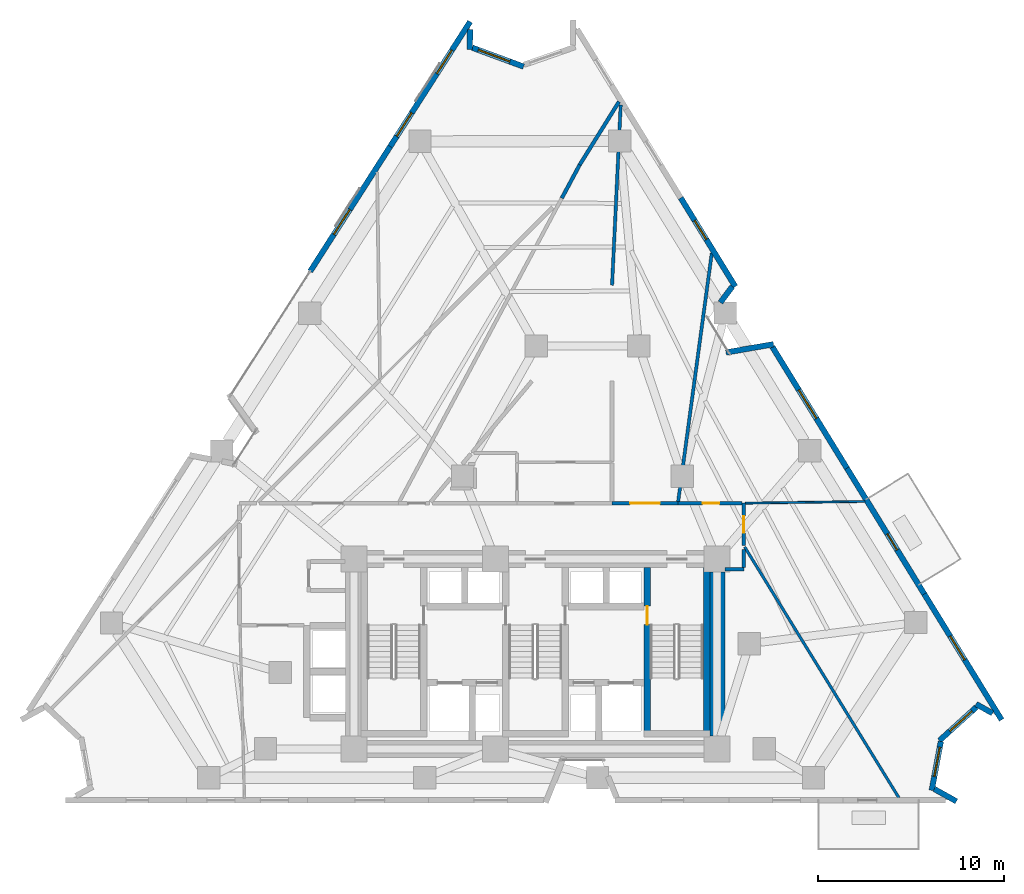
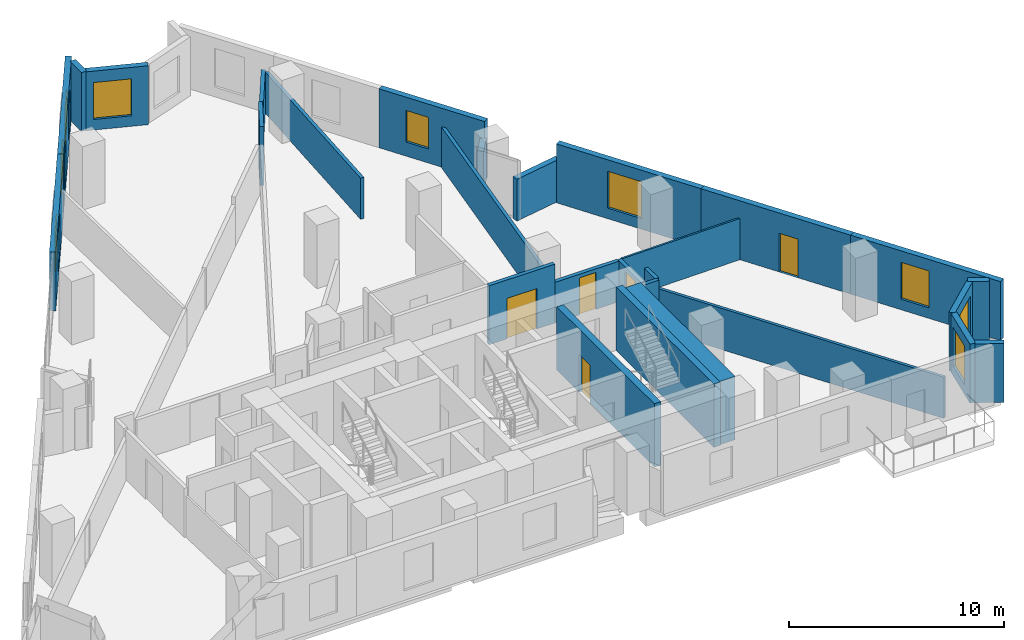
# One storey, part 8 of 12: 28 walls, 9 windows, 5 doors, 14 openings.
"""IFC4 building model written with IfcOpenShell, lengths in metres."""

from ifc_helpers import new_model, si_unit, direction, frame, frame_2d, origin, place, context, subcontext, project, spatial, rectangle, extrude, material, layer, layer_set, type_object, element, fill, save


model = new_model("IFC4")

# Units and contexts
model_context = context("Model", 3, precision=1e-05, world=origin(), true_north=direction((0.0, 1.0)))
body_context = subcontext(model_context, "Body", "Model", "MODEL_VIEW")
ifc_project = project(units=[si_unit("LENGTHUNIT", "METRE"), si_unit("AREAUNIT", "SQUARE_METRE"), si_unit("VOLUMEUNIT", "CUBIC_METRE"), si_unit("PLANEANGLEUNIT", "RADIAN"), si_unit("MASSUNIT", "GRAM", prefix="KILO")], contexts=[model_context])

# Site, building, storey
site_placement = place(None, origin())
site = spatial("IfcSite", under=ifc_project, at=site_placement, CompositionType="ELEMENT")
building_placement = place(site_placement, origin())
building = spatial("IfcBuilding", under=site, at=building_placement, Name="Almagre Mirador Tower", CompositionType="ELEMENT")
storey_placement = place(building_placement, frame((0.0, 0.0, 93.0)))
storey = spatial("IfcBuildingStorey", under=building, at=storey_placement, Name="L23", CompositionType="ELEMENT", Elevation=93.0)

# Wall, opening, window
ifc_material_1 = material(Name="Precast concrete C50/60", Category="concrete")
ifc_layer_1 = layer(ifc_material_1, 0.300048828125)
ifc_layer_set_1 = layer_set([ifc_layer_1], Name="Precast concrete C50/60")
wall_type_1 = type_object("IfcWallType", Name="WAL-EXT-300", PredefinedType="SOLIDWALL", material=ifc_layer_set_1)
wall_1_placement = place(storey_placement, frame((25.202392578125, 30.2099609375, 0.0), z_axis=(0.0, 0.0, 1.0), x_axis=(0.53945551692, 0.842014100395, 0.0)))
wall_1 = element("IfcWall", 1, at=wall_1_placement, inside=storey, type_object=wall_type_1, Name="L23 expressed almagre precast frame wall 04", PredefinedType="SOLIDWALL", context=body_context, shape_type="SweptSolid", body=[
    extrude(rectangle(XDim=7.96435546875, YDim=0.300048828125, at=frame_2d((3.982177734375, 0.0))), origin(), (0.0, 0.0, 1.0), 3.35009765625),
])
opening_1_placement = place(wall_1_placement, frame((2.35009765625, 0.0, 0.550048828125)))
opening_1 = element("IfcOpeningElement", 2, at=opening_1_placement, cuts=wall_1, Name="Opening WN-06", PredefinedType="OPENING", context=body_context, shape_type="SweptSolid", body=[
    extrude(rectangle(XDim=1.60009765625, YDim=2.199951171875, at=frame_2d((0.800048828125, 1.10009765625))), frame((0.0, 0.159902, 0.0), z_axis=(0.0, -1.0, 0.0), x_axis=(1.0, 0.0, 0.0)), (0.0, 0.0, 1.0), 0.320049),
])
ifc_material_2 = material(Name="Dark solar-control laminated hurricane glass", Category="glass")
window_type_1 = type_object("IfcWindowType", Name="WIN-1600X2200", PartitioningType="DOUBLE_PANEL_VERTICAL", PredefinedType="WINDOW", material=ifc_material_2)
window_1_placement = place(opening_1_placement, origin())
window_1 = element("IfcWindow", 3, at=window_1_placement, inside=storey, type_object=window_type_1, Name="L23 recessed hurricane window L23-RST-E", OverallHeight=2.199951171875, OverallWidth=1.60009765625, PartitioningType="SINGLE_PANEL", PredefinedType="WINDOW", context=body_context, shape_type="SweptSolid", body=[
    extrude(rectangle(XDim=1.60009765625, YDim=2.199951171875, at=frame_2d((0.800048828125, 1.10009765625))), frame((0.0, 0.030029296875, 0.0), z_axis=(0.0, -1.0, 0.0), x_axis=(1.0, 0.0, 0.0)), (0.0, 0.0, 1.0), 0.06005859375),
])
fill(opening_1, window_1)

# Wall, openings, windows
wall_2_placement = place(storey_placement, frame((29.498779296875, 36.916015625, 0.0), z_axis=(0.0, 0.0, 1.0), x_axis=(0.539433782812, 0.842028024451, 0.0)))
wall_2 = element("IfcWall", 4, at=wall_2_placement, inside=storey, type_object=wall_type_1, Name="L23 expressed almagre precast frame wall 05", PredefinedType="SOLIDWALL", context=body_context, shape_type="SweptSolid", body=[
    extrude(rectangle(XDim=7.964111328125, YDim=0.300048828125, at=frame_2d((3.98193359375, 0.0))), origin(), (0.0, 0.0, 1.0), 3.35009765625),
])
opening_2_placement = place(wall_2_placement, frame((0.64990234375, 0.0, 0.60009765625)))
opening_2 = element("IfcOpeningElement", 5, at=opening_2_placement, cuts=wall_2, Name="Opening WN-03", PredefinedType="OPENING", context=body_context, shape_type="SweptSolid", body=[
    extrude(rectangle(XDim=1.5, YDim=2.10009765625, at=frame_2d((0.75, 1.050048828125))), frame((0.0, 0.159902, 0.0), z_axis=(0.0, -1.0, 0.0), x_axis=(1.0, 0.0, 0.0)), (0.0, 0.0, 1.0), 0.320049),
])
opening_3_placement = place(wall_2_placement, frame((4.64990234375, 0.0, 0.60009765625)))
opening_3 = element("IfcOpeningElement", 6, at=opening_3_placement, cuts=wall_2, Name="Opening WN-03", PredefinedType="OPENING", context=body_context, shape_type="SweptSolid", body=[
    extrude(rectangle(XDim=1.5, YDim=2.10009765625, at=frame_2d((0.75, 1.050048828125))), frame((0.0, 0.159902, 0.0), z_axis=(0.0, -1.0, 0.0), x_axis=(1.0, 0.0, 0.0)), (0.0, 0.0, 1.0), 0.320049),
])
ifc_material_3 = material(Name="Dark solar-control laminated hurricane glass", Category="glass")
window_type_2 = type_object("IfcWindowType", Name="WIN-1500X2100", PartitioningType="DOUBLE_PANEL_VERTICAL", PredefinedType="WINDOW", material=ifc_material_3)
window_2_placement = place(opening_2_placement, origin())
window_2 = element("IfcWindow", 7, at=window_2_placement, inside=storey, type_object=window_type_2, Name="L23 recessed hurricane window L23-RST-J", OverallHeight=2.10009765625, OverallWidth=1.5, PartitioningType="SINGLE_PANEL", PredefinedType="WINDOW", context=body_context, shape_type="SweptSolid", body=[
    extrude(rectangle(XDim=1.5, YDim=2.10009765625, at=frame_2d((0.75, 1.050048828125))), frame((0.0, 0.030029296875, 0.0), z_axis=(0.0, -1.0, 0.0), x_axis=(1.0, 0.0, 0.0)), (0.0, 0.0, 1.0), 0.06005859375),
])
fill(opening_2, window_2)
window_3_placement = place(opening_3_placement, origin())
window_3 = element("IfcWindow", 8, at=window_3_placement, inside=storey, type_object=window_type_2, Name="L23 recessed hurricane window L23-UM-KT", OverallHeight=2.10009765625, OverallWidth=1.5, PartitioningType="SINGLE_PANEL", PredefinedType="WINDOW", context=body_context, shape_type="SweptSolid", body=[
    extrude(rectangle(XDim=1.5, YDim=2.10009765625, at=frame_2d((0.75, 1.050048828125))), frame((0.0, 0.030029296875, 0.0), z_axis=(0.0, -1.0, 0.0), x_axis=(1.0, 0.0, 0.0)), (0.0, 0.0, 1.0), 0.06005859375),
])
fill(opening_3, window_3)

# Wall
wall_3_placement = place(storey_placement, frame((33.791015625, 43.20703125, 0.0), z_axis=(0.0, 0.0, 1.0), x_axis=(-0.009538516763, -0.999954507314, 0.0)))
element("IfcWall", 9, at=wall_3_placement, inside=storey, type_object=wall_type_1, Name="L23 expressed almagre precast frame wall 06", PredefinedType="SOLIDWALL", context=body_context, shape_type="SweptSolid", body=[
    extrude(rectangle(XDim=1.074951171875, YDim=0.300048828125, at=frame_2d((0.53759765625, 0.0))), origin(), (0.0, 0.0, 1.0), 3.35009765625),
])

# Wall, opening, window
wall_4_placement = place(storey_placement, frame((33.90869140625, 42.225341796875, 0.0), z_axis=(0.0, 0.0, 1.0), x_axis=(0.938225446259, -0.346024582931, 0.0)))
wall_4 = element("IfcWall", 10, at=wall_4_placement, inside=storey, type_object=wall_type_1, Name="L23 expressed almagre precast frame wall 07", PredefinedType="SOLIDWALL", context=body_context, shape_type="SweptSolid", body=[
    extrude(rectangle(XDim=2.94140625, YDim=0.300048828125, at=frame_2d((1.470703125, 0.0))), origin(), (0.0, 0.0, 1.0), 3.35009765625),
])
opening_4_placement = place(wall_4_placement, frame((0.35009765625, 0.0, 0.60009765625)))
opening_4 = element("IfcOpeningElement", 11, at=opening_4_placement, cuts=wall_4, Name="Opening WN-01", PredefinedType="OPENING", context=body_context, shape_type="SweptSolid", body=[
    extrude(rectangle(XDim=1.800048828125, YDim=2.10009765625, at=frame_2d((0.89990234375, 1.050048828125))), frame((0.0, 0.159902, 0.0), z_axis=(0.0, -1.0, 0.0), x_axis=(1.0, 0.0, 0.0)), (0.0, 0.0, 1.0), 0.320049),
])
ifc_material_4 = material(Name="Dark solar-control laminated hurricane glass", Category="glass")
window_type_3 = type_object("IfcWindowType", Name="WIN-1800X2100", PartitioningType="DOUBLE_PANEL_VERTICAL", PredefinedType="WINDOW", material=ifc_material_4)
window_4_placement = place(opening_4_placement, origin())
window_4 = element("IfcWindow", 12, at=window_4_placement, inside=storey, type_object=window_type_3, Name="L23 recessed hurricane window L23-UM-KT", OverallHeight=2.10009765625, OverallWidth=1.800048828125, PartitioningType="SINGLE_PANEL", PredefinedType="WINDOW", context=body_context, shape_type="SweptSolid", body=[
    extrude(rectangle(XDim=1.800048828125, YDim=2.10009765625, at=frame_2d((0.89990234375, 1.050048828125))), frame((0.0, 0.030029296875, 0.0), z_axis=(0.0, -1.0, 0.0), x_axis=(1.0, 0.0, 0.0)), (0.0, 0.0, 1.0), 0.06005859375),
])
fill(opening_4, window_4)

wall_5_placement = place(storey_placement, frame((45.111328125, 34.154296875, 0.0), z_axis=(0.0, 0.0, 1.0), x_axis=(0.523710369238, -0.851896384047, 0.0)))
wall_5 = element("IfcWall", 13, at=wall_5_placement, inside=storey, type_object=wall_type_1, Name="L23 expressed almagre precast frame wall 12", PredefinedType="SOLIDWALL", context=body_context, shape_type="SweptSolid", body=[
    extrude(rectangle(XDim=5.596435546875, YDim=0.300048828125, at=frame_2d((2.79833984375, 0.0))), origin(), (0.0, 0.0, 1.0), 3.35009765625),
])
opening_5_placement = place(wall_5_placement, frame((1.425048828125, 0.0, 0.800048828125)))
opening_5 = element("IfcOpeningElement", 14, at=opening_5_placement, cuts=wall_5, Name="Opening WN-04", PredefinedType="OPENING", context=body_context, shape_type="SweptSolid", body=[
    extrude(rectangle(XDim=1.199951171875, YDim=1.800048828125, at=frame_2d((0.60009765625, 0.89990234375))), frame((0.0, 0.159902, 0.0), z_axis=(0.0, -1.0, 0.0), x_axis=(1.0, 0.0, 0.0)), (0.0, 0.0, 1.0), 0.320049),
])
ifc_material_5 = material(Name="Dark solar-control laminated hurricane glass", Category="glass")
window_type_4 = type_object("IfcWindowType", Name="WIN-1200X1800", PartitioningType="SINGLE_PANEL", PredefinedType="WINDOW", material=ifc_material_5)
window_5_placement = place(opening_5_placement, origin())
window_5 = element("IfcWindow", 15, at=window_5_placement, inside=storey, type_object=window_type_4, Name="L23 recessed hurricane window L23-RST-L", OverallHeight=1.800048828125, OverallWidth=1.199951171875, PartitioningType="SINGLE_PANEL", PredefinedType="WINDOW", context=body_context, shape_type="SweptSolid", body=[
    extrude(rectangle(XDim=1.199951171875, YDim=1.800048828125, at=frame_2d((0.60009765625, 0.89990234375))), frame((0.0, 0.030029296875, 0.0), z_axis=(0.0, -1.0, 0.0), x_axis=(1.0, 0.0, 0.0)), (0.0, 0.0, 1.0), 0.06005859375),
])
fill(opening_5, window_5)

# Walls
wall_6_placement = place(storey_placement, frame((47.88525390625, 29.393798828125, 0.0), z_axis=(0.0, 0.0, 1.0), x_axis=(-0.598186461049, -0.801356947819, 0.0)))
element("IfcWall", 16, at=wall_6_placement, inside=storey, type_object=wall_type_1, Name="L23 expressed almagre precast frame wall 13", PredefinedType="SOLIDWALL", context=body_context, shape_type="SweptSolid", body=[
    extrude(rectangle(XDim=1.077880859375, YDim=0.300048828125, at=frame_2d((0.5390625, 0.0))), origin(), (0.0, 0.0, 1.0), 2.375),
])
wall_7_placement = place(storey_placement, frame((47.541015625, 25.846923828125, 0.0), z_axis=(0.0, 0.0, 1.0), x_axis=(0.985095505459, 0.172008270511, 0.0)))
element("IfcWall", 17, at=wall_7_placement, inside=storey, type_object=wall_type_1, Name="L23 expressed almagre precast frame wall 14", PredefinedType="SOLIDWALL", context=body_context, shape_type="SweptSolid", body=[
    extrude(rectangle(XDim=2.594482421875, YDim=0.300048828125, at=frame_2d((1.29736328125, 0.0))), origin(), (0.0, 0.0, 1.0), 2.375),
])

# Wall, opening, window
wall_8_placement = place(storey_placement, frame((50.0322265625, 26.14990234375, 0.0), z_axis=(0.0, 0.0, 1.0), x_axis=(0.523673810553, -0.851918857721, 0.0)))
wall_8 = element("IfcWall", 18, at=wall_8_placement, inside=storey, type_object=wall_type_1, Name="L23 expressed almagre precast frame wall 15", PredefinedType="SOLIDWALL", context=body_context, shape_type="SweptSolid", body=[
    extrude(rectangle(XDim=7.654296875, YDim=0.300048828125, at=frame_2d((3.8271484375, 0.0))), origin(), (0.0, 0.0, 1.0), 3.35009765625),
])
opening_6_placement = place(wall_8_placement, frame((2.719970703125, 0.0, 0.60009765625)))
opening_6 = element("IfcOpeningElement", 19, at=opening_6_placement, cuts=wall_8, Name="Opening WN-01", PredefinedType="OPENING", context=body_context, shape_type="SweptSolid", body=[
    extrude(rectangle(XDim=1.800048828125, YDim=2.10009765625, at=frame_2d((0.89990234375, 1.050048828125))), frame((0.0, 0.159902, 0.0), z_axis=(0.0, -1.0, 0.0), x_axis=(1.0, 0.0, 0.0)), (0.0, 0.0, 1.0), 0.320049),
])
window_6_placement = place(opening_6_placement, origin())
window_6 = element("IfcWindow", 20, at=window_6_placement, inside=storey, type_object=window_type_3, Name="L23 recessed hurricane window L23-RST-H", OverallHeight=2.10009765625, OverallWidth=1.800048828125, PartitioningType="SINGLE_PANEL", PredefinedType="WINDOW", context=body_context, shape_type="SweptSolid", body=[
    extrude(rectangle(XDim=1.800048828125, YDim=2.10009765625, at=frame_2d((0.89990234375, 1.050048828125))), frame((0.0, 0.030029296875, 0.0), z_axis=(0.0, -1.0, 0.0), x_axis=(1.0, 0.0, 0.0)), (0.0, 0.0, 1.0), 0.06005859375),
])
fill(opening_6, window_6)

# Wall, opening, door
wall_9_placement = place(storey_placement, frame((54.04052734375, 19.629150390625, 0.0), z_axis=(0.0, 0.0, 1.0), x_axis=(0.523661280051, -0.851926560083, 0.0)))
wall_9 = element("IfcWall", 21, at=wall_9_placement, inside=storey, type_object=wall_type_1, Name="L23 expressed almagre precast frame wall 16", PredefinedType="SOLIDWALL", context=body_context, shape_type="SweptSolid", body=[
    extrude(rectangle(XDim=7.93408203125, YDim=0.300048828125, at=frame_2d((3.967041015625, 0.0))), origin(), (0.0, 0.0, 1.0), 3.35009765625),
])
opening_7_placement = place(wall_9_placement, frame((4.146484375, 0.0, 0.0)))
opening_7 = element("IfcOpeningElement", 22, at=opening_7_placement, cuts=wall_9, Name="Opening BD-01", PredefinedType="OPENING", context=body_context, shape_type="SweptSolid", body=[
    extrude(rectangle(XDim=1.0, YDim=2.199951171875, at=frame_2d((0.5, 1.10009765625))), frame((0.0, 0.159902, 0.0), z_axis=(0.0, -1.0, 0.0), x_axis=(1.0, 0.0, 0.0)), (0.0, 0.0, 1.0), 0.320049),
])
ifc_material_6 = material(Name="Black anodized aluminium and laminated glass", Category="aluminium")
door_type_1 = type_object("IfcDoorType", Name="DOR-BAL-1000X2200", OperationType="NOTDEFINED", PredefinedType="DOOR", material=ifc_material_6)
door_1_placement = place(opening_7_placement, origin())
door_1 = element("IfcDoor", 23, at=door_1_placement, inside=storey, type_object=door_type_1, Name="DR-0780 L23 east balcony glazed door 2", OperationType="SINGLE_SWING_RIGHT", OverallHeight=2.199951171875, OverallWidth=1.0, PredefinedType="DOOR", context=body_context, shape_type="SweptSolid", body=[
    extrude(rectangle(XDim=1.0, YDim=2.199951171875, at=frame_2d((0.5, 1.10009765625))), frame((0.0, 0.02490234375, 0.0), z_axis=(0.0, -1.0, 0.0), x_axis=(1.0, 0.0, 0.0)), (0.0, 0.0, 1.0), 0.050048828125),
])
fill(opening_7, door_1)

# Wall, opening, window
wall_10_placement = place(storey_placement, frame((58.1953125, 12.869873046875, 0.0), z_axis=(0.0, 0.0, 1.0), x_axis=(0.52368361247, -0.851912832413, 0.0)))
wall_10 = element("IfcWall", 24, at=wall_10_placement, inside=storey, type_object=wall_type_1, Name="L23 expressed almagre precast frame wall 17", PredefinedType="SOLIDWALL", context=body_context, shape_type="SweptSolid", body=[
    extrude(rectangle(XDim=7.934326171875, YDim=0.300048828125, at=frame_2d((3.96728515625, 0.0))), origin(), (0.0, 0.0, 1.0), 3.35009765625),
])
opening_8_placement = place(wall_10_placement, frame((2.64990234375, 0.0, 0.60009765625)))
opening_8 = element("IfcOpeningElement", 25, at=opening_8_placement, cuts=wall_10, Name="Opening WN-03", PredefinedType="OPENING", context=body_context, shape_type="SweptSolid", body=[
    extrude(rectangle(XDim=1.5, YDim=2.10009765625, at=frame_2d((0.75, 1.050048828125))), frame((0.0, 0.159902, 0.0), z_axis=(0.0, -1.0, 0.0), x_axis=(1.0, 0.0, 0.0)), (0.0, 0.0, 1.0), 0.320049),
])
window_7_placement = place(opening_8_placement, origin())
window_7 = element("IfcWindow", 26, at=window_7_placement, inside=storey, type_object=window_type_2, Name="L23 recessed hurricane window L23-RST-D", OverallHeight=2.10009765625, OverallWidth=1.5, PartitioningType="SINGLE_PANEL", PredefinedType="WINDOW", context=body_context, shape_type="SweptSolid", body=[
    extrude(rectangle(XDim=1.5, YDim=2.10009765625, at=frame_2d((0.75, 1.050048828125))), frame((0.0, 0.030029296875, 0.0), z_axis=(0.0, -1.0, 0.0), x_axis=(1.0, 0.0, 0.0)), (0.0, 0.0, 1.0), 0.06005859375),
])
fill(opening_8, window_7)

# Wall
wall_11_placement = place(storey_placement, frame((61.862548828125, 6.4619140625, 0.0), z_axis=(0.0, 0.0, 1.0), x_axis=(-0.872678236231, 0.488295705499, 0.0)))
element("IfcWall", 27, at=wall_11_placement, inside=storey, type_object=wall_type_1, Name="L23 expressed almagre precast frame wall 18", PredefinedType="SOLIDWALL", context=body_context, shape_type="SweptSolid", body=[
    extrude(rectangle(XDim=1.014892578125, YDim=0.300048828125, at=frame_2d((0.50732421875, 0.0))), origin(), (0.0, 0.0, 1.0), 3.35009765625),
])

# Wall, opening, window
wall_12_placement = place(storey_placement, frame((61.002685546875, 6.8017578125, 0.0), z_axis=(0.0, 0.0, 1.0), x_axis=(-0.741163448221, -0.671324618215, 0.0)))
wall_12 = element("IfcWall", 28, at=wall_12_placement, inside=storey, type_object=wall_type_1, Name="L23 expressed almagre precast frame wall 19", PredefinedType="SOLIDWALL", context=body_context, shape_type="SweptSolid", body=[
    extrude(rectangle(XDim=2.688232421875, YDim=0.300048828125, at=frame_2d((1.34423828125, 0.0))), origin(), (0.0, 0.0, 1.0), 3.35009765625),
])
opening_9_placement = place(wall_12_placement, frame((0.330078125, 0.0, 0.550048828125)))
opening_9 = element("IfcOpeningElement", 29, at=opening_9_placement, cuts=wall_12, Name="Opening WN-06", PredefinedType="OPENING", context=body_context, shape_type="SweptSolid", body=[
    extrude(rectangle(XDim=1.60009765625, YDim=2.199951171875, at=frame_2d((0.800048828125, 1.10009765625))), frame((0.0, 0.159902, 0.0), z_axis=(0.0, -1.0, 0.0), x_axis=(1.0, 0.0, 0.0)), (0.0, 0.0, 1.0), 0.320049),
])
window_8_placement = place(opening_9_placement, origin())
window_8 = element("IfcWindow", 30, at=window_8_placement, inside=storey, type_object=window_type_1, Name="L23 recessed hurricane window L23-RST-D", OverallHeight=2.199951171875, OverallWidth=1.60009765625, PartitioningType="SINGLE_PANEL", PredefinedType="WINDOW", context=body_context, shape_type="SweptSolid", body=[
    extrude(rectangle(XDim=1.60009765625, YDim=2.199951171875, at=frame_2d((0.800048828125, 1.10009765625))), frame((0.0, 0.030029296875, 0.0), z_axis=(0.0, -1.0, 0.0), x_axis=(1.0, 0.0, 0.0)), (0.0, 0.0, 1.0), 0.06005859375),
])
fill(opening_9, window_8)

wall_13_placement = place(storey_placement, frame((59.08740234375, 4.948486328125, 0.0), z_axis=(0.0, 0.0, 1.0), x_axis=(-0.183786629236, -0.982966161632, 0.0)))
wall_13 = element("IfcWall", 31, at=wall_13_placement, inside=storey, type_object=wall_type_1, Name="L23 expressed almagre precast frame wall 20", PredefinedType="SOLIDWALL", context=body_context, shape_type="SweptSolid", body=[
    extrude(rectangle(XDim=2.672607421875, YDim=0.300048828125, at=frame_2d((1.33642578125, 0.0))), origin(), (0.0, 0.0, 1.0), 3.35009765625),
])
opening_10_placement = place(wall_13_placement, frame((0.31494140625, 0.0, 0.550048828125)))
opening_10 = element("IfcOpeningElement", 32, at=opening_10_placement, cuts=wall_13, Name="Opening WN-06", PredefinedType="OPENING", context=body_context, shape_type="SweptSolid", body=[
    extrude(rectangle(XDim=1.60009765625, YDim=2.199951171875, at=frame_2d((0.800048828125, 1.10009765625))), frame((0.0, 0.159902, 0.0), z_axis=(0.0, -1.0, 0.0), x_axis=(1.0, 0.0, 0.0)), (0.0, 0.0, 1.0), 0.320049),
])
window_9_placement = place(opening_10_placement, origin())
window_9 = element("IfcWindow", 33, at=window_9_placement, inside=storey, type_object=window_type_1, Name="L23 recessed hurricane window L23-RST-D", OverallHeight=2.199951171875, OverallWidth=1.60009765625, PartitioningType="SINGLE_PANEL", PredefinedType="WINDOW", context=body_context, shape_type="SweptSolid", body=[
    extrude(rectangle(XDim=1.60009765625, YDim=2.199951171875, at=frame_2d((0.800048828125, 1.10009765625))), frame((0.0, 0.030029296875, 0.0), z_axis=(0.0, -1.0, 0.0), x_axis=(1.0, 0.0, 0.0)), (0.0, 0.0, 1.0), 0.06005859375),
])
fill(opening_10, window_9)

# Walls
wall_14_placement = place(storey_placement, frame((58.7353515625, 2.3955078125, 0.0), z_axis=(0.0, 0.0, 1.0), x_axis=(0.872747775204, -0.488171405221, 0.0)))
element("IfcWall", 34, at=wall_14_placement, inside=storey, type_object=wall_type_1, Name="L23 expressed almagre precast frame wall 21", PredefinedType="SOLIDWALL", context=body_context, shape_type="SweptSolid", body=[
    extrude(rectangle(XDim=1.35986328125, YDim=0.300048828125, at=frame_2d((0.679931640625, 0.0))), origin(), (0.0, 0.0, 1.0), 3.35009765625),
])
ifc_material_7 = material(Name="Gypsum acoustic stud partition", Category="other")
ifc_layer_2 = layer(ifc_material_7, 0.10009765625)
ifc_layer_set_2 = layer_set([ifc_layer_2], Name="Gypsum acoustic stud partition")
wall_type_2 = type_object("IfcWallType", Name="WAL-PRT-100-CLS", PredefinedType="PARTITIONING", material=ifc_layer_set_2)
wall_15_placement = place(storey_placement, frame((55.008056640625, 17.843994140625, 0.0), z_axis=(0.0, 0.0, 1.0), x_axis=(-0.999895156148, -0.014480217967, 0.0)))
element("IfcWall", 35, at=wall_15_placement, inside=storey, type_object=wall_type_2, Name="L23 interior partition 017", PredefinedType="PARTITIONING", context=body_context, shape_type="SweptSolid", body=[
    extrude(rectangle(XDim=6.423828125, YDim=0.10009765625, at=frame_2d((3.2119140625, 0.0))), origin(), (0.0, 0.0, 1.0), 2.344970703125),
])
ifc_material_8 = material(Name="Gypsum acoustic stud partition", Category="other")
ifc_layer_3 = layer(ifc_material_8, 0.14990234375)
ifc_layer_set_3 = layer_set([ifc_layer_3], Name="Gypsum acoustic stud partition")
wall_type_3 = type_object("IfcWallType", Name="WAL-PRT-150-STD", PredefinedType="PARTITIONING", material=ifc_layer_set_3)
wall_16_placement = place(storey_placement, frame((56.8349609375, 1.91796875, 0.0), z_axis=(0.0, 0.0, 1.0), x_axis=(-0.52387102705, 0.851797597447, 0.0)))
element("IfcWall", 36, at=wall_16_placement, inside=storey, type_object=wall_type_3, Name="L23 interior partition 016", PredefinedType="PARTITIONING", context=body_context, shape_type="SweptSolid", body=[
    extrude(rectangle(XDim=15.824951171875, YDim=0.14990234375, at=frame_2d((7.91259765625, 0.0))), origin(), (0.0, 0.0, 1.0), 2.344970703125),
])
ifc_material_9 = material(Name="Gypsum acoustic stud partition", Category="other")
ifc_layer_4 = layer(ifc_material_9, 0.175048828125)
ifc_layer_set_4 = layer_set([ifc_layer_4], Name="Gypsum acoustic stud partition")
wall_type_4 = type_object("IfcWallType", Name="WAL-PRT-175-AC", PredefinedType="PARTITIONING", material=ifc_layer_set_4)
wall_17_placement = place(storey_placement, frame((46.779052734375, 31.18994140625, 0.0), z_axis=(0.0, 0.0, 1.0), x_axis=(-0.134139063058, -0.990962517839, 0.0)))
element("IfcWall", 37, at=wall_17_placement, inside=storey, type_object=wall_type_4, Name="L23 interior partition 033", PredefinedType="PARTITIONING", context=body_context, shape_type="SweptSolid", body=[
    extrude(rectangle(XDim=13.4775390625, YDim=0.175048828125, at=frame_2d((6.73876953125, 0.0))), origin(), (0.0, 0.0, 1.0), 2.30908203125),
])
wall_18_placement = place(storey_placement, frame((41.419921875, 29.4599609375, 0.0), z_axis=(0.0, 0.0, 1.0), x_axis=(0.047936966321, 0.998850362797, 0.0)))
element("IfcWall", 38, at=wall_18_placement, inside=storey, type_object=wall_type_4, Name="L23 interior partition 036", PredefinedType="PARTITIONING", context=body_context, shape_type="SweptSolid", body=[
    extrude(rectangle(XDim=9.7021484375, YDim=0.175048828125, at=frame_2d((4.85107421875, 0.0))), origin(), (0.0, 0.0, 1.0), 2.344970703125),
])
ifc_material_10 = material(Name="Gypsum acoustic stud partition", Category="other")
ifc_layer_5 = layer(ifc_material_10, 0.199951171875)
ifc_layer_set_5 = layer_set([ifc_layer_5], Name="Gypsum acoustic stud partition")
wall_type_5 = type_object("IfcWallType", Name="WAL-PRT-200-EI60", PredefinedType="PARTITIONING", material=ifc_layer_set_5)
wall_19_placement = place(storey_placement, frame((47.5, 14.199951171875, 0.0), z_axis=(0.0, 0.0, 1.0), x_axis=(1.0, 0.0, 0.0)))
element("IfcWall", 39, at=wall_19_placement, inside=storey, type_object=wall_type_5, Name="L23 interior partition 003", PredefinedType="PARTITIONING", context=body_context, shape_type="SweptSolid", body=[
    extrude(rectangle(XDim=1.0, YDim=0.199951171875, at=frame_2d((0.5, 0.0))), origin(), (0.0, 0.0, 1.0), 3.35009765625),
])
wall_20_placement = place(storey_placement, frame((48.5, 14.284912109375, 0.0), z_axis=(0.0, 0.0, 1.0), x_axis=(0.0, 1.0, 0.0)))
element("IfcWall", 40, at=wall_20_placement, inside=storey, type_object=wall_type_5, Name="L23 interior partition 004", PredefinedType="PARTITIONING", context=body_context, shape_type="SweptSolid", body=[
    extrude(rectangle(XDim=0.985107421875, YDim=0.199951171875, at=frame_2d((0.49267578125, 0.0))), origin(), (0.0, 0.0, 1.0), 3.35009765625),
])

# Wall, opening, door
wall_21_placement = place(storey_placement, frame((48.5, 15.469970703125, 0.0), z_axis=(0.0, 0.0, 1.0), x_axis=(0.0, 1.0, 0.0)))
wall_21 = element("IfcWall", 41, at=wall_21_placement, inside=storey, type_object=wall_type_5, Name="L23 interior partition 005", PredefinedType="PARTITIONING", context=body_context, shape_type="SweptSolid", body=[
    extrude(rectangle(XDim=2.280029296875, YDim=0.199951171875, at=frame_2d((1.14013671875, 0.0))), origin(), (0.0, 0.0, 1.0), 2.344970703125),
])
opening_11_placement = place(wall_21_placement, frame((0.68994140625, 0.0, 0.0)))
opening_11 = element("IfcOpeningElement", 42, at=opening_11_placement, cuts=wall_21, Name="Opening ID-03", PredefinedType="OPENING", context=body_context, shape_type="SweptSolid", body=[
    extrude(rectangle(XDim=0.89990234375, YDim=2.10009765625, at=frame_2d((0.449951171875, 1.050048828125))), frame((0.0, 0.110098, 0.0), z_axis=(0.0, -1.0, 0.0), x_axis=(1.0, 0.0, 0.0)), (0.0, 0.0, 1.0), 0.219951),
])
ifc_material_11 = material(Name="Fire-rated hollow steel", Category="steel")
door_type_2 = type_object("IfcDoorType", Name="DOR-FD60-900X2100", OperationType="NOTDEFINED", PredefinedType="DOOR", material=ifc_material_11)
door_2_placement = place(opening_11_placement, origin())
door_2 = element("IfcDoor", 43, at=door_2_placement, inside=storey, type_object=door_type_2, Name="DR-0788 L23 interior door L23-RCOR to L23-RST-D", OperationType="SINGLE_SWING_LEFT", OverallHeight=2.10009765625, OverallWidth=0.89990234375, PredefinedType="DOOR", context=body_context, shape_type="SweptSolid", body=[
    extrude(rectangle(XDim=0.89990234375, YDim=2.10009765625, at=frame_2d((0.449951171875, 1.050048828125))), frame((0.0, 0.02490234375, 0.0), z_axis=(0.0, -1.0, 0.0), x_axis=(1.0, 0.0, 0.0)), (0.0, 0.0, 1.0), 0.050048828125),
])
fill(opening_11, door_2)

wall_22_placement = place(storey_placement, frame((48.4150390625, 17.75, 0.0), z_axis=(0.0, 0.0, 1.0), x_axis=(-1.0, 0.0, 0.0)))
wall_22 = element("IfcWall", 44, at=wall_22_placement, inside=storey, type_object=wall_type_5, Name="L23 interior partition 011", PredefinedType="PARTITIONING", context=body_context, shape_type="SweptSolid", body=[
    extrude(rectangle(XDim=3.455078125, YDim=0.199951171875, at=frame_2d((1.7275390625, 0.0))), origin(), (0.0, 0.0, 1.0), 2.30908203125),
])
opening_12_placement = place(wall_22_placement, frame((1.235107421875, 0.0, 0.0)))
opening_12 = element("IfcOpeningElement", 45, at=opening_12_placement, cuts=wall_22, Name="Opening ID-03", PredefinedType="OPENING", context=body_context, shape_type="SweptSolid", body=[
    extrude(rectangle(XDim=0.89990234375, YDim=2.10009765625, at=frame_2d((0.449951171875, 1.050048828125))), frame((0.0, 0.110098, 0.0), z_axis=(0.0, -1.0, 0.0), x_axis=(1.0, 0.0, 0.0)), (0.0, 0.0, 1.0), 0.219951),
])
door_3_placement = place(opening_12_placement, origin())
door_3 = element("IfcDoor", 46, at=door_3_placement, inside=storey, type_object=door_type_2, Name="DR-0790 L23 interior door L23-RCOR to L23-RST-H", OperationType="SINGLE_SWING_LEFT", OverallHeight=2.10009765625, OverallWidth=0.89990234375, PredefinedType="DOOR", context=body_context, shape_type="SweptSolid", body=[
    extrude(rectangle(XDim=0.89990234375, YDim=2.10009765625, at=frame_2d((0.449951171875, 1.050048828125))), frame((0.0, 0.02490234375, 0.0), z_axis=(0.0, -1.0, 0.0), x_axis=(1.0, 0.0, 0.0)), (0.0, 0.0, 1.0), 0.050048828125),
])
fill(opening_12, door_3)

wall_23_placement = place(storey_placement, frame((44.9599609375, 17.75, 0.0), z_axis=(0.0, 0.0, 1.0), x_axis=(-1.0, 0.0, 0.0)))
wall_23 = element("IfcWall", 47, at=wall_23_placement, inside=storey, type_object=wall_type_5, Name="L23 interior partition 013", PredefinedType="PARTITIONING", context=body_context, shape_type="SweptSolid", body=[
    extrude(rectangle(XDim=3.5400390625, YDim=0.199951171875, at=frame_2d((1.77001953125, 0.0))), origin(), (0.0, 0.0, 1.0), 3.35009765625),
])
opening_13_placement = place(wall_23_placement, frame((0.969970703125, 0.0, 0.0)))
opening_13 = element("IfcOpeningElement", 48, at=opening_13_placement, cuts=wall_23, Name="Opening ID-05", PredefinedType="OPENING", context=body_context, shape_type="SweptSolid", body=[
    extrude(rectangle(XDim=1.60009765625, YDim=2.300048828125, at=frame_2d((0.800048828125, 1.14990234375))), frame((0.0, 0.110098, 0.0), z_axis=(0.0, -1.0, 0.0), x_axis=(1.0, 0.0, 0.0)), (0.0, 0.0, 1.0), 0.219951),
])
ifc_material_12 = material(Name="Fire-rated acoustic timber", Category="wood")
door_type_3 = type_object("IfcDoorType", Name="DOR-FD60-1600X2300", OperationType="DOUBLE_DOOR_SINGLE_SWING", PredefinedType="DOOR", material=ifc_material_12)
door_4_placement = place(opening_13_placement, origin())
door_4 = element("IfcDoor", 49, at=door_4_placement, inside=storey, type_object=door_type_3, Name="DR-0792 L23 interior door L23-RCOR to L23-RST-L", OperationType="DOUBLE_DOOR_SINGLE_SWING", OverallHeight=2.300048828125, OverallWidth=1.60009765625, PredefinedType="DOOR", context=body_context, shape_type="SweptSolid", body=[
    extrude(rectangle(XDim=1.60009765625, YDim=2.300048828125, at=frame_2d((0.800048828125, 1.14990234375))), frame((0.0, 0.02490234375, 0.0), z_axis=(0.0, -1.0, 0.0), x_axis=(1.0, 0.0, 0.0)), (0.0, 0.0, 1.0), 0.050048828125),
])
fill(opening_13, door_4)

# Walls
wall_24_placement = place(storey_placement, frame((39.679931640625, 35.929931640625, 0.0), z_axis=(0.0, 0.0, 1.0), x_axis=(-0.472608279445, -0.881272610603, 0.0)))
element("IfcWall", 50, at=wall_24_placement, inside=storey, type_object=wall_type_5, Name="L23 interior partition 037", PredefinedType="PARTITIONING", context=body_context, shape_type="SweptSolid", body=[
    extrude(rectangle(XDim=2.03125, YDim=0.199951171875, at=frame_2d((1.015625, 0.0))), origin(), (0.0, 0.0, 1.0), 3.35009765625),
])
wall_25_placement = place(storey_placement, frame((41.794921875, 39.323974609375, 0.0), z_axis=(0.0, 0.0, 1.0), x_axis=(-0.528868032501, -0.848704073396, 0.0)))
element("IfcWall", 51, at=wall_25_placement, inside=storey, type_object=wall_type_5, Name="L23 interior partition 038", PredefinedType="PARTITIONING", context=body_context, shape_type="SweptSolid", body=[
    extrude(rectangle(XDim=3.9990234375, YDim=0.199951171875, at=frame_2d((1.99951171875, 0.0))), origin(), (0.0, 0.0, 1.0), 2.3701171875),
])

# Wall, opening, door
ifc_material_13 = material(Name="Concrete C60/75", Category="concrete")
ifc_layer_6 = layer(ifc_material_13, 0.35009765625)
ifc_layer_set_6 = layer_set([ifc_layer_6], Name="Concrete C60/75")
wall_type_6 = type_object("IfcWallType", Name="WAL-SHF-350", PredefinedType="SOLIDWALL", material=ifc_layer_set_6)
wall_26_placement = place(storey_placement, frame((43.300048828125, 5.199951171875, 0.0), z_axis=(0.0, 0.0, 1.0), x_axis=(0.0, 1.0, 0.0)))
wall_26 = element("IfcWall", 52, at=wall_26_placement, inside=storey, type_object=wall_type_6, Name="L23 shaft wall ST3-W", PredefinedType="SOLIDWALL", context=body_context, shape_type="SweptSolid", body=[
    extrude(rectangle(XDim=9.10009765625, YDim=0.35009765625, at=frame_2d((4.550048828125, 0.0))), origin(), (0.0, 0.0, 1.0), 3.60009765625),
])
opening_14_placement = place(wall_26_placement, frame((6.02001953125, 0.0, 0.0)))
opening_14 = element("IfcOpeningElement", 53, at=opening_14_placement, cuts=wall_26, Name="Opening FD-01", PredefinedType="OPENING", context=body_context, shape_type="SweptSolid", body=[
    extrude(rectangle(XDim=1.0, YDim=2.14990234375, at=frame_2d((0.5, 1.074951171875))), frame((0.0, 0.185049, 0.0), z_axis=(0.0, -1.0, 0.0), x_axis=(1.0, 0.0, 0.0)), (0.0, 0.0, 1.0), 0.370098),
])
ifc_material_14 = material(Name="Fire-rated hollow steel", Category="steel")
door_type_4 = type_object("IfcDoorType", Name="DOR-FFL-1000X2150", OperationType="NOTDEFINED", PredefinedType="DOOR", material=ifc_material_14)
door_5_placement = place(opening_14_placement, origin())
door_5 = element("IfcDoor", 54, at=door_5_placement, inside=storey, type_object=door_type_4, Name="DR-0785 L23 FFL2-ST3 smokeproof door", OperationType="SINGLE_SWING_RIGHT", OverallHeight=2.14990234375, OverallWidth=1.0, PredefinedType="DOOR", context=body_context, shape_type="SweptSolid", body=[
    extrude(rectangle(XDim=1.0, YDim=2.14990234375, at=frame_2d((0.5, 1.074951171875))), frame((0.0, 0.02490234375, 0.0), z_axis=(0.0, -1.0, 0.0), x_axis=(1.0, 0.0, 0.0)), (0.0, 0.0, 1.0), 0.050048828125),
])
fill(opening_14, door_5)

# Walls
wall_27_placement = place(storey_placement, frame((46.5, 5.199951171875, 0.0), z_axis=(0.0, 0.0, 1.0), x_axis=(0.0, 1.0, 0.0)))
element("IfcWall", 55, at=wall_27_placement, inside=storey, type_object=wall_type_6, Name="L23 shaft wall ST3-E", PredefinedType="SOLIDWALL", context=body_context, shape_type="SweptSolid", body=[
    extrude(rectangle(XDim=9.10009765625, YDim=0.35009765625, at=frame_2d((4.550048828125, 0.0))), origin(), (0.0, 0.0, 1.0), 3.60009765625),
])
ifc_material_15 = material(Name="Concrete C70/85", Category="concrete")
ifc_layer_7 = layer(ifc_material_15, 0.89990234375)
ifc_layer_set_7 = layer_set([ifc_layer_7], Name="Concrete C70/85")
wall_type_7 = type_object("IfcWallType", Name="WAL-SHR-900", PredefinedType="SHEAR", material=ifc_layer_set_7)
wall_28_placement = place(storey_placement, frame((47.050048828125, 5.25, 0.0), z_axis=(0.0, 0.0, 1.0), x_axis=(0.0, 1.0, 0.0)))
element("IfcWall", 56, at=wall_28_placement, inside=storey, type_object=wall_type_7, Name="L23 core shear wall E1", PredefinedType="SHEAR", context=body_context, shape_type="SweptSolid", body=[
    extrude(rectangle(XDim=8.800048828125, YDim=0.89990234375, at=frame_2d((4.39990234375, 0.0))), origin(), (0.0, 0.0, 1.0), 3.60009765625),
])

save(model, "model.ifc")
